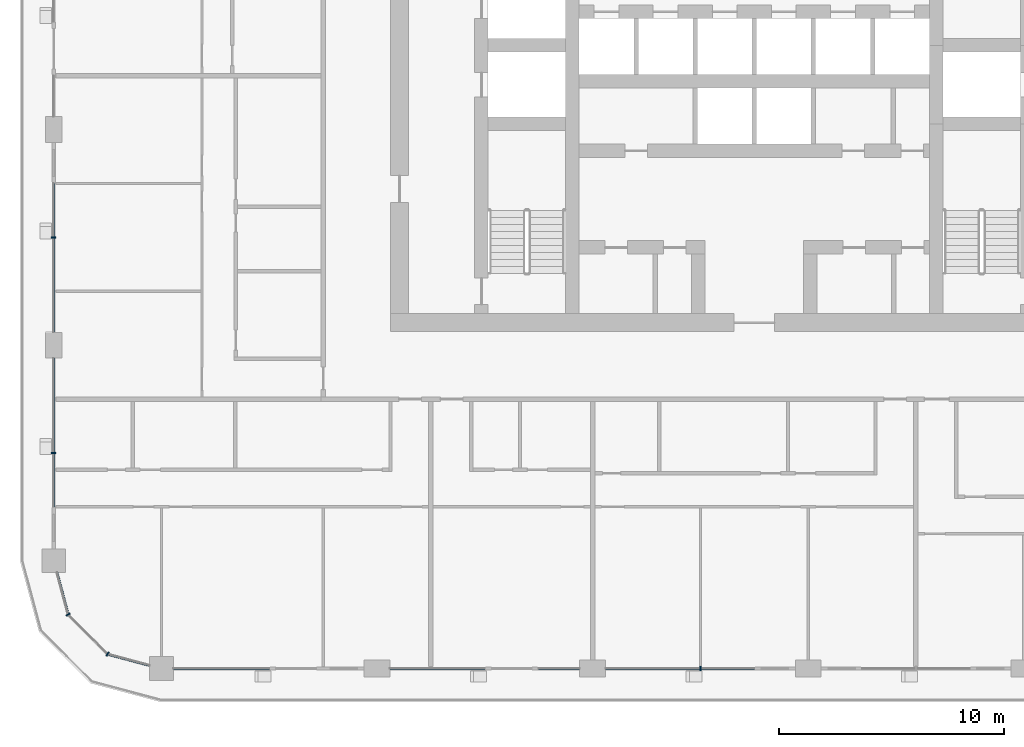
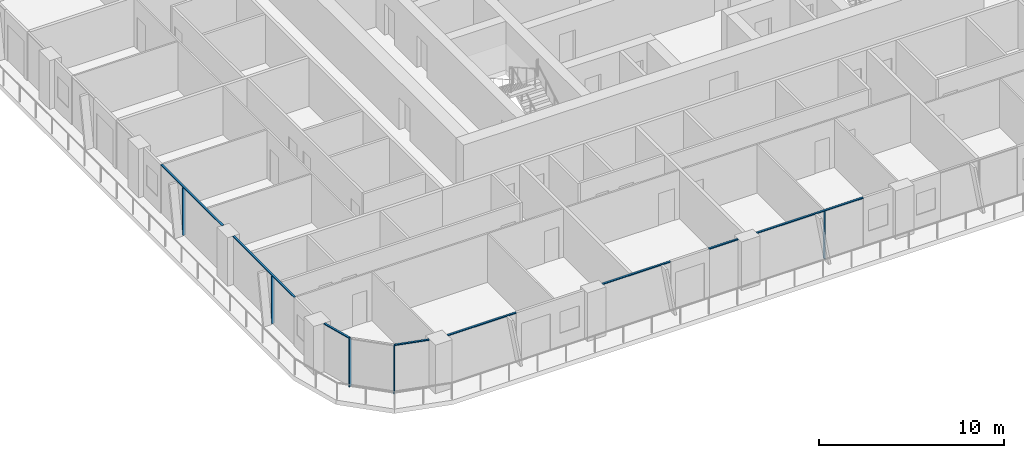
# One storey, part 2 of 22: 13 members, 6 elements without a shape of their own.
"""IFC4 building model written with IfcOpenShell, lengths in metres."""

import ifcopenshell
import ifcopenshell.guid

model = None  # the IFC model being written
_history = None  # IfcOwnerHistory: only IFC2X3 demands one
_inside = {}  # id of a spatial element -> (the spatial element, [elements in it])
_under = {}  # id of a project, library or spatial element -> (it, [spatial elements below it])
_declared = {}  # id of a project -> (the project, [libraries it declares])
_typed = {}  # id of a type object -> (the type object, [elements of that type])
_made_of = {}  # id of a material, layer set ... -> (it, [elements and type objects made of it])


def new_model(schema):
    """Start an empty IFC model of exactly this schema.

    Asked for "IFC4X3", IfcOpenShell would pick the latest addendum, in which some entities
    have other attributes; the version numbers below select the first issue.
    IFC2X3 requires an IfcOwnerHistory on every rooted entity: one is made here for all.
    """
    global model, _history
    if schema == "IFC4X3":
        model = ifcopenshell.file(schema_version=(4, 3, 0, 0))
    else:
        model = ifcopenshell.file(schema=schema)
    _inside.clear()
    _under.clear()
    _declared.clear()
    _typed.clear()
    _made_of.clear()
    _history = None
    if model.schema == "IFC2X3":
        org = make("IfcOrganization", Name="unknown")
        user = make(
            "IfcPersonAndOrganization",
            ThePerson=make("IfcPerson", FamilyName="unknown"),
            TheOrganization=org,
        )
        app = make(
            "IfcApplication",
            ApplicationDeveloper=org,
            Version="unknown",
            ApplicationFullName="unknown",
            ApplicationIdentifier="unknown",
        )
        _history = make(
            "IfcOwnerHistory",
            OwningUser=user,
            OwningApplication=app,
            ChangeAction="ADDED",
            CreationDate=0,
        )
    return model


def make(cls, **values):
    """One entity of the class cls with the attributes given. An attribute that is None is left unset."""
    return model.create_entity(
        cls, **{name: value for name, value in values.items() if value is not None}
    )


def rooted(cls, **values):
    """An entity with a GlobalId (a new one), such as an element, a storey or a relation."""
    return make(cls, GlobalId=ifcopenshell.guid.new(), OwnerHistory=_history, **values)


def si_unit(unit_type, name, prefix=None):
    """IfcSIUnit, for example si_unit("LENGTHUNIT", "METRE", prefix="MILLI")."""
    return make("IfcSIUnit", UnitType=unit_type, Prefix=prefix, Name=name)


def assignment(units):
    """IfcUnitAssignment: the units of a project."""
    return None if units is None else make("IfcUnitAssignment", Units=units)


def point(xyz):
    """IfcCartesianPoint."""
    return None if xyz is None else make("IfcCartesianPoint", Coordinates=xyz)


def direction(xyz):
    """IfcDirection."""
    return None if xyz is None else make("IfcDirection", DirectionRatios=xyz)


def frame(location, z_axis=None, x_axis=None):
    """IfcAxis2Placement3D, a coordinate frame: its origin and axes. An axis left out is left unset."""
    return make(
        "IfcAxis2Placement3D",
        Location=point(location),
        Axis=direction(z_axis),
        RefDirection=direction(x_axis),
    )


def frame_2d(location, x_axis=None):
    """IfcAxis2Placement2D, a coordinate frame in the plane: its origin and x axis."""
    return make(
        "IfcAxis2Placement2D", Location=point(location), RefDirection=direction(x_axis)
    )


def origin():
    """The frame at (0, 0, 0) with its axes left unset."""
    return frame((0.0, 0.0, 0.0))


def origin_2d():
    """The frame at (0, 0) in the plane with its x axis left unset."""
    return frame_2d((0.0, 0.0))


def place(relative_to, where):
    """IfcLocalPlacement: puts the frame where relative to a parent placement (None: the world)."""
    return make(
        "IfcLocalPlacement", PlacementRelTo=relative_to, RelativePlacement=where
    )


def context(
    kind, dimensions, precision=None, world=None, true_north=None, identifier=None
):
    """IfcGeometricRepresentationContext, for example the 3D "Model" context."""
    return make(
        "IfcGeometricRepresentationContext",
        ContextIdentifier=identifier,
        ContextType=kind,
        CoordinateSpaceDimension=dimensions,
        Precision=precision,
        WorldCoordinateSystem=world,
        TrueNorth=true_north,
    )


def subcontext(parent, identifier, kind, view, scale=None):
    """IfcGeometricRepresentationSubContext, for example "Body" below "Model"."""
    return make(
        "IfcGeometricRepresentationSubContext",
        ContextIdentifier=identifier,
        ContextType=kind,
        ParentContext=parent,
        TargetScale=scale,
        TargetView=view,
    )


def project(units=None, contexts=None):
    """IfcProject with its units and contexts."""
    return rooted(
        "IfcProject",
        Name="project",
        RepresentationContexts=contexts,
        UnitsInContext=assignment(units),
    )


def spatial(cls, under=None, at=None, **own):
    """A site, building, storey or space (cls), placed at a placement, below another one or the project."""
    s = rooted(cls, ObjectPlacement=at, **own)
    if under is not None:
        _under.setdefault(under.id(), (under, []))[1].append(s)
    return s


def profile(cls, at=None, kind="AREA", **sizes):
    """A parametric profile (cls). Its sizes go by their IFC names, for example OverallWidth=200.0."""
    return make(cls, ProfileType=kind, Position=at, **sizes)


def rectangle(**sizes):
    """IfcRectangleProfileDef."""
    return profile("IfcRectangleProfileDef", **sizes)


def extrude(swept, where, along, depth):
    """IfcExtrudedAreaSolid: the profile swept, set in the frame where, extruded along a direction by depth."""
    return make(
        "IfcExtrudedAreaSolid",
        SweptArea=swept,
        Position=where,
        ExtrudedDirection=direction(along),
        Depth=depth,
    )


def shape(context_of_items, identifier, shape_type, items):
    """IfcShapeRepresentation: the items that make up one representation, for example the "Body"."""
    return make(
        "IfcShapeRepresentation",
        ContextOfItems=context_of_items,
        RepresentationIdentifier=identifier,
        RepresentationType=shape_type,
        Items=items,
    )


def material(Name=None, Category=None):
    """IfcMaterial."""
    return make("IfcMaterial", Name=Name, Category=Category)


def layer(
    of_material, thickness, ventilated=None, Name=None, Category=None, Priority=None
):
    """IfcMaterialLayer: one layer of a wall or slab, of a material (None: an air gap)."""
    return make(
        "IfcMaterialLayer",
        Material=of_material,
        LayerThickness=thickness,
        IsVentilated=ventilated,
        Name=Name,
        Category=Category,
        Priority=Priority,
    )


def layer_set(layers, Name=None):
    """IfcMaterialLayerSet."""
    return make("IfcMaterialLayerSet", MaterialLayers=layers, LayerSetName=Name)


def material_profile(
    of_material, cross_section, Name=None, Category=None, Priority=None
):
    """IfcMaterialProfile: a cross section and its material."""
    return make(
        "IfcMaterialProfile",
        Name=Name,
        Material=of_material,
        Profile=cross_section,
        Priority=Priority,
        Category=Category,
    )


def profile_set(profiles, Name=None, composite=None):
    """IfcMaterialProfileSet."""
    return make(
        "IfcMaterialProfileSet",
        Name=Name,
        MaterialProfiles=profiles,
        CompositeProfile=composite,
    )


def made_of(thing, what):
    """Note that an element or type object is made of a material, layer set ...; save() writes the relation."""
    if what is not None:
        _made_of.setdefault(what.id(), (what, []))[1].append(thing)
    return thing


def type_object(cls, material=None, **own):
    """A type object (cls), such as IfcWallType, which elements share."""
    return made_of(rooted(cls, **own), material)


def element(
    cls,
    number,
    at=None,
    inside=None,
    cuts=None,
    type_object=None,
    material=None,
    context=None,
    identifier="Body",
    shape_type=None,
    held_by="IfcProductDefinitionShape",
    body=None,
    shapes=None,
    **own,
):
    """One element of the class cls, such as IfcWall. Its Tag is "e" and its number.

    at: its placement. inside: the storey or other place that contains it. cuts: it is an
    opening in that element (IfcRelVoidsElement). A single representation is given by context,
    identifier, shape_type and body (its items); several are given by shapes. held_by: the class
    of the entity that holds the representations. save() writes the other relations.
    """
    e = rooted(cls, Tag="e%d" % number, ObjectPlacement=at, **own)
    if body is not None:
        shapes = [shape(context, identifier, shape_type, body)]
    if shapes is not None:
        e.Representation = make(held_by, Representations=shapes)
    if inside is not None:
        _inside.setdefault(inside.id(), (inside, []))[1].append(e)
    if cuts is not None:
        rooted(
            "IfcRelVoidsElement", RelatingBuildingElement=cuts, RelatedOpeningElement=e
        )
    if type_object is not None:
        _typed.setdefault(type_object.id(), (type_object, []))[1].append(e)
    return made_of(e, material)


def aggregate(whole, parts):
    """IfcRelAggregates: a whole, such as a stair, and the parts it consists of."""
    return rooted("IfcRelAggregates", RelatingObject=whole, RelatedObjects=parts)


def save(model, path):
    """Write the relations noted so far, then the file.

    IfcRelAggregates (storeys below a building ...), IfcRelContainedInSpatialStructure (elements
    in a storey), IfcRelDefinesByType, IfcRelAssociatesMaterial and IfcRelDeclares: one each for
    every whole, place, type object, material and project.
    """
    for whole, parts in _under.values():
        aggregate(whole, parts)
    for where, things in _inside.values():
        rooted(
            "IfcRelContainedInSpatialStructure",
            RelatedElements=things,
            RelatingStructure=where,
        )
    for kind, things in _typed.values():
        rooted("IfcRelDefinesByType", RelatedObjects=things, RelatingType=kind)
    for what, things in _made_of.values():
        rooted("IfcRelAssociatesMaterial", RelatedObjects=things, RelatingMaterial=what)
    for by, libraries in _declared.values():
        rooted("IfcRelDeclares", RelatingContext=by, RelatedDefinitions=libraries)
    model.write(path)


model = new_model("IFC4")

# Units and contexts
model_context = context("Model", 3, precision=1e-05, world=origin(), true_north=direction((0.0, 1.0)))
body_context = subcontext(model_context, "Body", "Model", "MODEL_VIEW")
ifc_project = project(units=[si_unit("LENGTHUNIT", "METRE"), si_unit("AREAUNIT", "SQUARE_METRE"), si_unit("VOLUMEUNIT", "CUBIC_METRE"), si_unit("PLANEANGLEUNIT", "RADIAN"), si_unit("MASSUNIT", "GRAM", prefix="KILO")], contexts=[model_context])

# Site, building, storey
site_placement = place(None, origin())
site = spatial("IfcSite", under=ifc_project, at=site_placement, CompositionType="ELEMENT")
building_placement = place(site_placement, origin())
building = spatial("IfcBuilding", under=site, at=building_placement, Name="Madar Terraces", CompositionType="ELEMENT")
storey_placement = place(building_placement, frame((0.0, 0.0, 159.5)))
storey = spatial("IfcBuildingStorey", under=building, at=storey_placement, Name="L41", CompositionType="ELEMENT", Elevation=159.5)

# Curtain wall, member
ifc_material_1 = material(Name="Glass, ceramic frit dark grey, with black aluminium frame", Category="aluminium")
ifc_layer = layer(ifc_material_1, 0.199951171875)
ifc_layer_set = layer_set([ifc_layer], Name="Facade curtain wall, fritted glass")
curtain_wall_type = type_object("IfcCurtainWallType", Name="Facade curtain wall, fritted glass", PredefinedType="NOTDEFINED", material=ifc_layer_set)
curtain_wall_1_placement = place(storey_placement, origin())
curtain_wall_1 = element("IfcCurtainWall", 1, at=curtain_wall_1_placement, inside=storey, type_object=curtain_wall_type, Name="Outer skin curtain wall south bay 3", PredefinedType="NOTDEFINED")
ifc_material_2 = material(Name="Aluminium, black anodised", Category="aluminium")
ifc_material_profile_1 = material_profile(ifc_material_2, rectangle(XDim=0.199951171875, YDim=0.06005859375, at=origin_2d()), Name="Facade mullion 60x200")
ifc_profile_set_1 = profile_set([ifc_material_profile_1], Name="Aluminium, black anodised")
member_type_1 = type_object("IfcMemberType", Name="Facade mullion 60x200", PredefinedType="MULLION", material=ifc_profile_set_1)
member_1_placement = place(storey_placement, frame((28.800048828125, 0.0, 0.0), z_axis=(0.0, 0.0, 1.0), x_axis=(0.0, 1.0, 0.0)))
member_1 = element("IfcMember", 2, at=member_1_placement, type_object=member_type_1, Name="Mullion 1", PredefinedType="MULLION", context=body_context, shape_type="SweptSolid", body=[
    extrude(rectangle(XDim=0.199951171875, YDim=0.06005859375, at=origin_2d()), origin(), (0.0, 0.0, 1.0), 3.139892578125),
])

curtain_wall_2_placement = place(storey_placement, origin())
curtain_wall_2 = element("IfcCurtainWall", 3, at=curtain_wall_2_placement, inside=storey, type_object=curtain_wall_type, Name="Outer skin curtain wall west bay 3", PredefinedType="NOTDEFINED")
member_2_placement = place(storey_placement, frame((0.0, 19.199951171875, 0.0), z_axis=(0.0, 0.0, 1.0), x_axis=(1.0, 0.0, 0.0)))
member_2 = element("IfcMember", 4, at=member_2_placement, type_object=member_type_1, Name="Mullion 1", PredefinedType="MULLION", context=body_context, shape_type="SweptSolid", body=[
    extrude(rectangle(XDim=0.199951171875, YDim=0.06005859375, at=origin_2d()), origin(), (0.0, 0.0, 1.0), 3.139892578125),
])

curtain_wall_3_placement = place(storey_placement, origin())
curtain_wall_3 = element("IfcCurtainWall", 5, at=curtain_wall_3_placement, inside=storey, type_object=curtain_wall_type, Name="Outer skin curtain wall west bay 4", PredefinedType="NOTDEFINED")
member_3_placement = place(storey_placement, frame((0.0, 9.60009765625, 0.0), z_axis=(0.0, 0.0, 1.0), x_axis=(1.0, 0.0, 0.0)))
member_3 = element("IfcMember", 6, at=member_3_placement, type_object=member_type_1, Name="Mullion 1", PredefinedType="MULLION", context=body_context, shape_type="SweptSolid", body=[
    extrude(rectangle(XDim=0.199951171875, YDim=0.06005859375, at=origin_2d()), origin(), (0.0, 0.0, 1.0), 3.139892578125),
])

# Curtain wall, members
curtain_wall_4_placement = place(storey_placement, origin())
curtain_wall_4 = element("IfcCurtainWall", 7, at=curtain_wall_4_placement, inside=storey, type_object=curtain_wall_type, Name="Outer skin curtain wall south-west corner", PredefinedType="NOTDEFINED")
member_4_placement = place(storey_placement, frame((0.64306640625, 2.39990234375, 0.0), z_axis=(0.0, 0.0, 1.0), x_axis=(0.866025409797, 0.499999989586, 0.0)))
member_4 = element("IfcMember", 8, at=member_4_placement, type_object=member_type_1, Name="Mullion 1", PredefinedType="MULLION", context=body_context, shape_type="SweptSolid", body=[
    extrude(rectangle(XDim=0.199951171875, YDim=0.06005859375, at=origin_2d()), origin(), (0.0, 0.0, 1.0), 3.139892578125),
])
member_5_placement = place(storey_placement, frame((2.39990234375, 0.64306640625, 0.0), z_axis=(0.0, 0.0, 1.0), x_axis=(0.499999989586, 0.866025409797, 0.0)))
member_5 = element("IfcMember", 9, at=member_5_placement, type_object=member_type_1, Name="Mullion 2", PredefinedType="MULLION", context=body_context, shape_type="SweptSolid", body=[
    extrude(rectangle(XDim=0.199951171875, YDim=0.06005859375, at=origin_2d()), origin(), (0.0, 0.0, 1.0), 3.139892578125),
])

# Curtain wall, member
curtain_wall_5_placement = place(storey_placement, origin())
curtain_wall_5 = element("IfcCurtainWall", 10, at=curtain_wall_5_placement, inside=storey, type_object=curtain_wall_type, Name="Outer skin curtain wall south bay 1", PredefinedType="NOTDEFINED")
ifc_material_3 = material(Name="Aluminium, black anodised", Category="aluminium")
ifc_material_profile_2 = material_profile(ifc_material_3, rectangle(XDim=0.1201171875, YDim=0.06005859375, at=origin_2d()), Name="Facade transom 60x120")
ifc_profile_set_2 = profile_set([ifc_material_profile_2], Name="Aluminium, black anodised")
member_type_2 = type_object("IfcMemberType", Name="Facade transom 60x120", PredefinedType="USERDEFINED", material=ifc_profile_set_2)
member_6_placement = place(storey_placement, frame((5.324951171875, 0.0, 3.169921875), z_axis=(1.0, 0.0, 0.0), x_axis=(0.0, 1.0, 0.0)))
member_6 = element("IfcMember", 11, at=member_6_placement, type_object=member_type_2, Name="Transom 1", ObjectType="TRANSOM", PredefinedType="USERDEFINED", context=body_context, shape_type="SweptSolid", body=[
    extrude(rectangle(XDim=0.1201171875, YDim=0.06005859375, at=origin_2d()), origin(), (0.0, 0.0, 1.0), 4.275146484375),
])
aggregate(curtain_wall_5, [member_6])

# Curtain wall, members
curtain_wall_6_placement = place(storey_placement, origin())
curtain_wall_6 = element("IfcCurtainWall", 12, at=curtain_wall_6_placement, inside=storey, type_object=curtain_wall_type, Name="Outer skin curtain wall south bay 2", PredefinedType="NOTDEFINED")
member_7_placement = place(storey_placement, frame((14.97509765625, 0.0, 3.169921875), z_axis=(1.0, 0.0, 0.0), x_axis=(0.0, 1.0, 0.0)))
member_7 = element("IfcMember", 13, at=member_7_placement, type_object=member_type_2, Name="Transom 1", ObjectType="TRANSOM", PredefinedType="USERDEFINED", context=body_context, shape_type="SweptSolid", body=[
    extrude(rectangle(XDim=0.1201171875, YDim=0.06005859375, at=origin_2d()), origin(), (0.0, 0.0, 1.0), 4.224853515625),
])
member_8_placement = place(storey_placement, frame((21.60009765625, 0.0, 3.169921875), z_axis=(1.0, 0.0, 0.0), x_axis=(0.0, 1.0, 0.0)))
member_8 = element("IfcMember", 14, at=member_8_placement, type_object=member_type_2, Name="Transom 2", ObjectType="TRANSOM", PredefinedType="USERDEFINED", context=body_context, shape_type="SweptSolid", body=[
    extrude(rectangle(XDim=0.1201171875, YDim=0.06005859375, at=origin_2d()), origin(), (0.0, 0.0, 1.0), 1.824951171875),
])
aggregate(curtain_wall_6, [member_7, member_8])

# Member
member_9_placement = place(storey_placement, frame((24.574951171875, 0.0, 3.169921875), z_axis=(1.0, 0.0, 0.0), x_axis=(0.0, 1.0, 0.0)))
member_9 = element("IfcMember", 15, at=member_9_placement, type_object=member_type_2, Name="Transom 1", ObjectType="TRANSOM", PredefinedType="USERDEFINED", context=body_context, shape_type="SweptSolid", body=[
    extrude(rectangle(XDim=0.1201171875, YDim=0.06005859375, at=origin_2d()), origin(), (0.0, 0.0, 1.0), 6.625),
])

aggregate(curtain_wall_1, [member_1, member_9])

member_10_placement = place(storey_placement, frame((0.0, 21.60009765625, 3.169921875), z_axis=(0.0, -1.0, 0.0), x_axis=(1.0, 0.0, 0.0)))
member_10 = element("IfcMember", 16, at=member_10_placement, type_object=member_type_2, Name="Transom 1", ObjectType="TRANSOM", PredefinedType="USERDEFINED", context=body_context, shape_type="SweptSolid", body=[
    extrude(rectangle(XDim=0.1201171875, YDim=0.06005859375, at=origin_2d()), origin(), (0.0, 0.0, 1.0), 6.625),
])

aggregate(curtain_wall_2, [member_2, member_10])

member_11_placement = place(storey_placement, frame((0.0, 13.824951171875, 3.169921875), z_axis=(0.0, -1.0, 0.0), x_axis=(1.0, 0.0, 0.0)))
member_11 = element("IfcMember", 17, at=member_11_placement, type_object=member_type_2, Name="Transom 1", ObjectType="TRANSOM", PredefinedType="USERDEFINED", context=body_context, shape_type="SweptSolid", body=[
    extrude(rectangle(XDim=0.1201171875, YDim=0.06005859375, at=origin_2d()), origin(), (0.0, 0.0, 1.0), 6.625),
])

aggregate(curtain_wall_3, [member_3, member_11])

member_12_placement = place(storey_placement, frame((0.140625, 4.27490234375, 3.169921875), z_axis=(0.258823354654, -0.965924671538, 0.0), x_axis=(0.965924671538, 0.258823354654, 0.0)))
member_12 = element("IfcMember", 18, at=member_12_placement, type_object=member_type_2, Name="Transom 1", ObjectType="TRANSOM", PredefinedType="USERDEFINED", context=body_context, shape_type="SweptSolid", body=[
    extrude(rectangle(XDim=0.1201171875, YDim=0.06005859375, at=origin_2d()), origin(), (0.0, 0.0, 1.0), 1.9111328125),
])

member_13_placement = place(storey_placement, frame((2.428955078125, 0.63525390625, 3.169921875), z_axis=(0.965924671538, -0.258823354654, 0.0), x_axis=(0.258823354654, 0.965924671538, 0.0)))
member_13 = element("IfcMember", 19, at=member_13_placement, type_object=member_type_2, Name="Transom 3", ObjectType="TRANSOM", PredefinedType="USERDEFINED", context=body_context, shape_type="SweptSolid", body=[
    extrude(rectangle(XDim=0.1201171875, YDim=0.06005859375, at=origin_2d()), origin(), (0.0, 0.0, 1.0), 1.9111328125),
])

aggregate(curtain_wall_4, [member_4, member_12, member_5, member_13])

save(model, "model.ifc")
